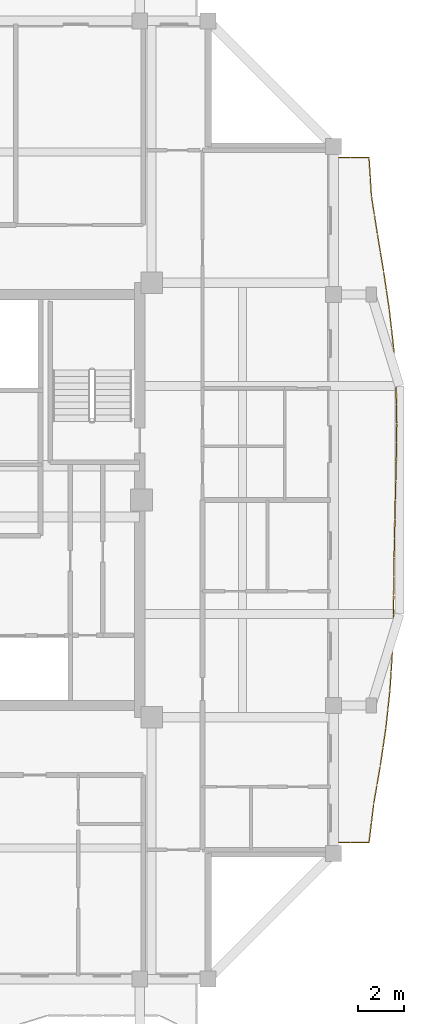
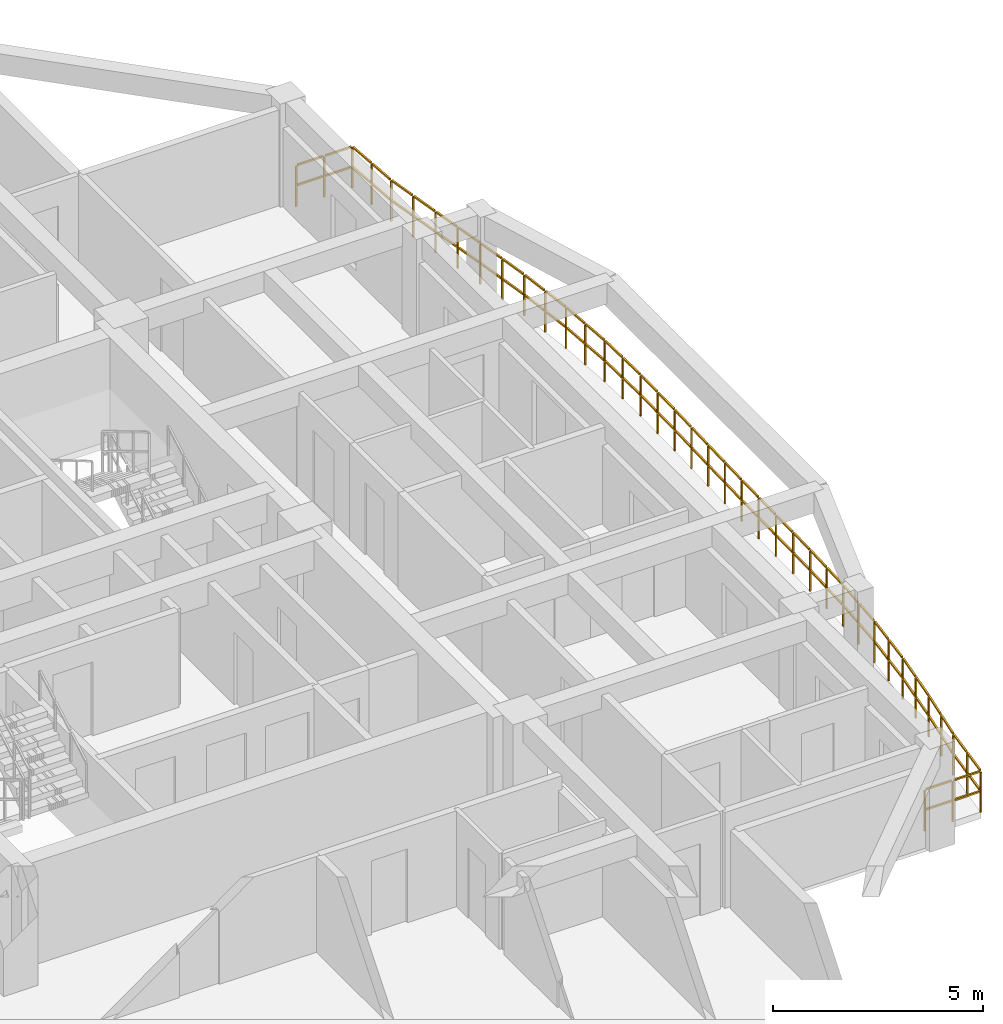
# One storey, part 11 of 12: 1 railing.
"""IFC4 building model written with IfcOpenShell, lengths in metres."""

from ifc_helpers import new_model, si_unit, direction, frame, origin, origin_2d, place, context, subcontext, project, spatial, rectangle, extrude, material, type_object, element, save


model = new_model("IFC4")

# Units and contexts
model_context = context("Model", 3, precision=1e-05, world=origin(), true_north=direction((0.0, 1.0)))
body_context = subcontext(model_context, "Body", "Model", "MODEL_VIEW")
ifc_project = project(units=[si_unit("LENGTHUNIT", "METRE"), si_unit("AREAUNIT", "SQUARE_METRE"), si_unit("VOLUMEUNIT", "CUBIC_METRE"), si_unit("PLANEANGLEUNIT", "RADIAN"), si_unit("MASSUNIT", "GRAM", prefix="KILO")], contexts=[model_context])

# Site, building, storey
site_placement = place(None, origin())
site = spatial("IfcSite", under=ifc_project, at=site_placement, CompositionType="ELEMENT")
building_placement = place(site_placement, origin())
building = spatial("IfcBuilding", under=site, at=building_placement, Name="Saelheon Loggia Tower", CompositionType="ELEMENT")
storey_placement = place(building_placement, frame((0.0, 0.0, 243.0)))
storey = spatial("IfcBuildingStorey", under=building, at=storey_placement, Name="L75", CompositionType="ELEMENT", Elevation=243.0)

# Railing
ifc_material = material(Name="Architectural Precast Concrete and Laminated Glass Guard", Category="concrete")
railing_type = type_object("IfcRailingType", Name="Guard_Loggia_RL_LOG", PredefinedType="BALUSTRADE", material=ifc_material)
railing_placement = place(storey_placement, frame((53.0, 12.0, 0.0)))
element("IfcRailing", 1, at=railing_placement, inside=storey, type_object=railing_type, Name="L75 East Loggia Balustrade", PredefinedType="BALUSTRADE", context=body_context, shape_type="SweptSolid", body=[
    extrude(rectangle(XDim=0.048095703125, YDim=0.048095703125, at=origin_2d()), frame((0.033203125, 0.0, 1.19580078125), z_axis=(1.0, 0.0, 0.0), x_axis=(0.0, 1.0, 0.0)), (0.0, 0.0, 1.0), 0.70849609375),
    extrude(rectangle(XDim=0.048095703125, YDim=0.048095703125, at=origin_2d()), frame((0.033203125, 0.0, 0.60986328125), z_axis=(1.0, 0.0, 0.0), x_axis=(0.0, 1.0, 0.0)), (0.0, 0.0, 1.0), 0.70849609375),
    extrude(rectangle(XDim=0.048095703125, YDim=0.048095703125, at=origin_2d()), frame((0.808349609375, 0.0, 1.19580078125), z_axis=(1.0, 0.0, 0.0), x_axis=(0.0, 1.0, 0.0)), (0.0, 0.0, 1.0), 0.70849609375),
    extrude(rectangle(XDim=0.048095703125, YDim=0.048095703125, at=origin_2d()), frame((0.808349609375, 0.0, 0.60986328125), z_axis=(1.0, 0.0, 0.0), x_axis=(0.0, 1.0, 0.0)), (0.0, 0.0, 1.0), 0.70849609375),
    extrude(rectangle(XDim=0.048095703125, YDim=0.048095703125, at=origin_2d()), frame((1.553955078125, 0.032958984375, 1.19580078125), z_axis=(0.121117273297, 0.992638205042, 0.0), x_axis=(-0.992638205042, 0.121117273297, 0.0)), (0.0, 0.0, 1.0), 0.773193359375),
    extrude(rectangle(XDim=0.048095703125, YDim=0.048095703125, at=origin_2d()), frame((1.553955078125, 0.032958984375, 0.60986328125), z_axis=(0.121117273297, 0.992638205042, 0.0), x_axis=(-0.992638205042, 0.121117273297, 0.0)), (0.0, 0.0, 1.0), 0.773193359375),
    extrude(rectangle(XDim=0.048095703125, YDim=0.048095703125, at=origin_2d()), frame((1.65576171875, 0.866455078125, 1.19580078125), z_axis=(0.121117273297, 0.992638205042, 0.0), x_axis=(-0.992638205042, 0.121117273297, 0.0)), (0.0, 0.0, 1.0), 0.773193359375),
    extrude(rectangle(XDim=0.048095703125, YDim=0.048095703125, at=origin_2d()), frame((1.65576171875, 0.866455078125, 0.60986328125), z_axis=(0.121117273297, 0.992638205042, 0.0), x_axis=(-0.992638205042, 0.121117273297, 0.0)), (0.0, 0.0, 1.0), 0.773193359375),
    extrude(rectangle(XDim=0.048095703125, YDim=0.048095703125, at=origin_2d()), frame((1.759033203125, 1.699462890625, 1.19580078125), z_axis=(0.170061614691, 0.98543343114, 0.0), x_axis=(-0.98543343114, 0.170061614691, 0.0)), (0.0, 0.0, 1.0), 0.779052734375),
    extrude(rectangle(XDim=0.048095703125, YDim=0.048095703125, at=origin_2d()), frame((1.759033203125, 1.699462890625, 0.60986328125), z_axis=(0.170061614691, 0.98543343114, 0.0), x_axis=(-0.98543343114, 0.170061614691, 0.0)), (0.0, 0.0, 1.0), 0.779052734375),
    extrude(rectangle(XDim=0.048095703125, YDim=0.048095703125, at=origin_2d()), frame((1.90283203125, 2.53271484375, 1.19580078125), z_axis=(0.170061614691, 0.98543343114, 0.0), x_axis=(-0.98543343114, 0.170061614691, 0.0)), (0.0, 0.0, 1.0), 0.779052734375),
    extrude(rectangle(XDim=0.048095703125, YDim=0.048095703125, at=origin_2d()), frame((1.90283203125, 2.53271484375, 0.60986328125), z_axis=(0.170061614691, 0.98543343114, 0.0), x_axis=(-0.98543343114, 0.170061614691, 0.0)), (0.0, 0.0, 1.0), 0.779052734375),
    extrude(rectangle(XDim=0.048095703125, YDim=0.048095703125, at=origin_2d()), frame((2.0458984375, 3.3662109375, 1.19580078125), z_axis=(0.146632679604, 0.98919101152, 0.0), x_axis=(-0.98919101152, 0.146632679604, 0.0)), (0.0, 0.0, 1.0), 0.776123046875),
    extrude(rectangle(XDim=0.048095703125, YDim=0.048095703125, at=origin_2d()), frame((2.0458984375, 3.3662109375, 0.60986328125), z_axis=(0.146632679604, 0.98919101152, 0.0), x_axis=(-0.98919101152, 0.146632679604, 0.0)), (0.0, 0.0, 1.0), 0.776123046875),
    extrude(rectangle(XDim=0.048095703125, YDim=0.048095703125, at=origin_2d()), frame((2.16943359375, 4.199462890625, 1.19580078125), z_axis=(0.146632679604, 0.98919101152, 0.0), x_axis=(-0.98919101152, 0.146632679604, 0.0)), (0.0, 0.0, 1.0), 0.776123046875),
    extrude(rectangle(XDim=0.048095703125, YDim=0.048095703125, at=origin_2d()), frame((2.16943359375, 4.199462890625, 0.60986328125), z_axis=(0.146632679604, 0.98919101152, 0.0), x_axis=(-0.98919101152, 0.146632679604, 0.0)), (0.0, 0.0, 1.0), 0.776123046875),
    extrude(rectangle(XDim=0.048095703125, YDim=0.048095703125, at=origin_2d()), frame((2.291748046875, 5.032958984375, 1.19580078125), z_axis=(0.106754244284, 0.994285437552, 0.0), x_axis=(-0.994285437552, 0.106754244284, 0.0)), (0.0, 0.0, 1.0), 0.771728515625),
    extrude(rectangle(XDim=0.048095703125, YDim=0.048095703125, at=origin_2d()), frame((2.291748046875, 5.032958984375, 0.60986328125), z_axis=(0.106754244284, 0.994285437552, 0.0), x_axis=(-0.994285437552, 0.106754244284, 0.0)), (0.0, 0.0, 1.0), 0.771728515625),
    extrude(rectangle(XDim=0.048095703125, YDim=0.048095703125, at=origin_2d()), frame((2.381103515625, 5.866455078125, 1.19580078125), z_axis=(0.106754244284, 0.994285437552, 0.0), x_axis=(-0.994285437552, 0.106754244284, 0.0)), (0.0, 0.0, 1.0), 0.771728515625),
    extrude(rectangle(XDim=0.048095703125, YDim=0.048095703125, at=origin_2d()), frame((2.381103515625, 5.866455078125, 0.60986328125), z_axis=(0.106754244284, 0.994285437552, 0.0), x_axis=(-0.994285437552, 0.106754244284, 0.0)), (0.0, 0.0, 1.0), 0.771728515625),
    extrude(rectangle(XDim=0.048095703125, YDim=0.048095703125, at=origin_2d()), frame((2.46923828125, 6.699951171875, 1.19580078125), z_axis=(0.063161067342, 0.998003346473, 0.0), x_axis=(-0.998003346473, 0.063161067342, 0.0)), (0.0, 0.0, 1.0), 0.7685546875),
    extrude(rectangle(XDim=0.048095703125, YDim=0.048095703125, at=origin_2d()), frame((2.46923828125, 6.699951171875, 0.60986328125), z_axis=(0.063161067342, 0.998003346473, 0.0), x_axis=(-0.998003346473, 0.063161067342, 0.0)), (0.0, 0.0, 1.0), 0.7685546875),
    extrude(rectangle(XDim=0.048095703125, YDim=0.048095703125, at=origin_2d()), frame((2.52197265625, 7.533203125, 1.19580078125), z_axis=(0.063161067342, 0.998003346473, 0.0), x_axis=(-0.998003346473, 0.063161067342, 0.0)), (0.0, 0.0, 1.0), 0.7685546875),
    extrude(rectangle(XDim=0.048095703125, YDim=0.048095703125, at=origin_2d()), frame((2.52197265625, 7.533203125, 0.60986328125), z_axis=(0.063161067342, 0.998003346473, 0.0), x_axis=(-0.998003346473, 0.063161067342, 0.0)), (0.0, 0.0, 1.0), 0.7685546875),
    extrude(rectangle(XDim=0.048095703125, YDim=0.048095703125, at=origin_2d()), frame((2.573486328125, 8.366455078125, 1.19580078125), z_axis=(0.028844006627, 0.999583925082, 0.0), x_axis=(-0.999583925082, 0.028844006627, 0.0)), (0.0, 0.0, 1.0), 0.767333984375),
    extrude(rectangle(XDim=0.048095703125, YDim=0.048095703125, at=origin_2d()), frame((2.573486328125, 8.366455078125, 0.60986328125), z_axis=(0.028844006627, 0.999583925082, 0.0), x_axis=(-0.999583925082, 0.028844006627, 0.0)), (0.0, 0.0, 1.0), 0.767333984375),
    extrude(rectangle(XDim=0.048095703125, YDim=0.048095703125, at=origin_2d()), frame((2.597412109375, 9.199951171875, 1.19580078125), z_axis=(0.028844006627, 0.999583925082, 0.0), x_axis=(-0.999583925082, 0.028844006627, 0.0)), (0.0, 0.0, 1.0), 0.767333984375),
    extrude(rectangle(XDim=0.048095703125, YDim=0.048095703125, at=origin_2d()), frame((2.597412109375, 9.199951171875, 0.60986328125), z_axis=(0.028844006627, 0.999583925082, 0.0), x_axis=(-0.999583925082, 0.028844006627, 0.0)), (0.0, 0.0, 1.0), 0.767333984375),
    extrude(rectangle(XDim=0.048095703125, YDim=0.048095703125, at=origin_2d()), frame((2.62109375, 10.033203125, 1.19580078125), z_axis=(0.012156711099, 0.999926104457, 0.0), x_axis=(-0.999926104457, 0.012156711099, 0.0)), (0.0, 0.0, 1.0), 0.766845703125),
    extrude(rectangle(XDim=0.048095703125, YDim=0.048095703125, at=origin_2d()), frame((2.62109375, 10.033203125, 0.60986328125), z_axis=(0.012156711099, 0.999926104457, 0.0), x_axis=(-0.999926104457, 0.012156711099, 0.0)), (0.0, 0.0, 1.0), 0.766845703125),
    extrude(rectangle(XDim=0.048095703125, YDim=0.048095703125, at=origin_2d()), frame((2.631103515625, 10.86669921875, 1.19580078125), z_axis=(0.012156711099, 0.999926104457, 0.0), x_axis=(-0.999926104457, 0.012156711099, 0.0)), (0.0, 0.0, 1.0), 0.766845703125),
    extrude(rectangle(XDim=0.048095703125, YDim=0.048095703125, at=origin_2d()), frame((2.631103515625, 10.86669921875, 0.60986328125), z_axis=(0.012156711099, 0.999926104457, 0.0), x_axis=(-0.999926104457, 0.012156711099, 0.0)), (0.0, 0.0, 1.0), 0.766845703125),
    extrude(rectangle(XDim=0.048095703125, YDim=0.048095703125, at=origin_2d()), frame((2.641357421875, 11.699951171875, 1.19580078125), z_axis=(0.012744350207, 0.999918787471, 0.0), x_axis=(-0.999918787471, 0.012744350207, 0.0)), (0.0, 0.0, 1.0), 0.766845703125),
    extrude(rectangle(XDim=0.048095703125, YDim=0.048095703125, at=origin_2d()), frame((2.641357421875, 11.699951171875, 0.60986328125), z_axis=(0.012744350207, 0.999918787471, 0.0), x_axis=(-0.999918787471, 0.012744350207, 0.0)), (0.0, 0.0, 1.0), 0.766845703125),
    extrude(rectangle(XDim=0.048095703125, YDim=0.048095703125, at=origin_2d()), frame((2.65185546875, 12.533203125, 1.19580078125), z_axis=(0.012744350207, 0.999918787471, 0.0), x_axis=(-0.999918787471, 0.012744350207, 0.0)), (0.0, 0.0, 1.0), 0.766845703125),
    extrude(rectangle(XDim=0.048095703125, YDim=0.048095703125, at=origin_2d()), frame((2.65185546875, 12.533203125, 0.60986328125), z_axis=(0.012744350207, 0.999918787471, 0.0), x_axis=(-0.999918787471, 0.012744350207, 0.0)), (0.0, 0.0, 1.0), 0.766845703125),
    extrude(rectangle(XDim=0.048095703125, YDim=0.048095703125, at=origin_2d()), frame((2.662841796875, 13.366455078125, 1.19580078125), z_axis=(0.021088029542, 0.999777622779, 0.0), x_axis=(-0.999777622779, 0.021088029542, 0.0)), (0.0, 0.0, 1.0), 0.76708984375),
    extrude(rectangle(XDim=0.048095703125, YDim=0.048095703125, at=origin_2d()), frame((2.662841796875, 13.366455078125, 0.60986328125), z_axis=(0.021088029542, 0.999777622779, 0.0), x_axis=(-0.999777622779, 0.021088029542, 0.0)), (0.0, 0.0, 1.0), 0.76708984375),
    extrude(rectangle(XDim=0.048095703125, YDim=0.048095703125, at=origin_2d()), frame((2.680419921875, 14.199951171875, 1.19580078125), z_axis=(0.021088029542, 0.999777622779, 0.0), x_axis=(-0.999777622779, 0.021088029542, 0.0)), (0.0, 0.0, 1.0), 0.76708984375),
    extrude(rectangle(XDim=0.048095703125, YDim=0.048095703125, at=origin_2d()), frame((2.680419921875, 14.199951171875, 0.60986328125), z_axis=(0.021088029542, 0.999777622779, 0.0), x_axis=(-0.999777622779, 0.021088029542, 0.0)), (0.0, 0.0, 1.0), 0.76708984375),
    extrude(rectangle(XDim=0.048095703125, YDim=0.048095703125, at=origin_2d()), frame((2.697998046875, 15.033203125, 1.19580078125), z_axis=(0.025186090256, 0.999682780115, 0.0), x_axis=(-0.999682780115, 0.025186090256, 0.0)), (0.0, 0.0, 1.0), 0.76708984375),
    extrude(rectangle(XDim=0.048095703125, YDim=0.048095703125, at=origin_2d()), frame((2.697998046875, 15.033203125, 0.60986328125), z_axis=(0.025186090256, 0.999682780115, 0.0), x_axis=(-0.999682780115, 0.025186090256, 0.0)), (0.0, 0.0, 1.0), 0.76708984375),
    extrude(rectangle(XDim=0.048095703125, YDim=0.048095703125, at=origin_2d()), frame((2.718994140625, 15.86669921875, 1.19580078125), z_axis=(0.025186090256, 0.999682780115, 0.0), x_axis=(-0.999682780115, 0.025186090256, 0.0)), (0.0, 0.0, 1.0), 0.76708984375),
    extrude(rectangle(XDim=0.048095703125, YDim=0.048095703125, at=origin_2d()), frame((2.718994140625, 15.86669921875, 0.60986328125), z_axis=(0.025186090256, 0.999682780115, 0.0), x_axis=(-0.999682780115, 0.025186090256, 0.0)), (0.0, 0.0, 1.0), 0.76708984375),
    extrude(rectangle(XDim=0.048095703125, YDim=0.048095703125, at=origin_2d()), frame((2.73974609375, 16.699951171875, 1.19580078125), z_axis=(0.013623113053, 0.99990720109, 0.0), x_axis=(-0.99990720109, 0.013623113053, 0.0)), (0.0, 0.0, 1.0), 0.766845703125),
    extrude(rectangle(XDim=0.048095703125, YDim=0.048095703125, at=origin_2d()), frame((2.73974609375, 16.699951171875, 0.60986328125), z_axis=(0.013623113053, 0.99990720109, 0.0), x_axis=(-0.99990720109, 0.013623113053, 0.0)), (0.0, 0.0, 1.0), 0.766845703125),
    extrude(rectangle(XDim=0.048095703125, YDim=0.048095703125, at=origin_2d()), frame((2.7509765625, 17.533203125, 1.19580078125), z_axis=(0.013623113053, 0.99990720109, 0.0), x_axis=(-0.99990720109, 0.013623113053, 0.0)), (0.0, 0.0, 1.0), 0.766845703125),
    extrude(rectangle(XDim=0.048095703125, YDim=0.048095703125, at=origin_2d()), frame((2.7509765625, 17.533203125, 0.60986328125), z_axis=(0.013623113053, 0.99990720109, 0.0), x_axis=(-0.99990720109, 0.013623113053, 0.0)), (0.0, 0.0, 1.0), 0.766845703125),
    extrude(rectangle(XDim=0.048095703125, YDim=0.048095703125, at=origin_2d()), frame((2.761474609375, 18.366455078125, 1.19580078125), z_axis=(-0.017574552025, 0.999845555634, 0.0), x_axis=(-0.999845555634, -0.017574552025, 0.0)), (0.0, 0.0, 1.0), 0.76708984375),
    extrude(rectangle(XDim=0.048095703125, YDim=0.048095703125, at=origin_2d()), frame((2.761474609375, 18.366455078125, 0.60986328125), z_axis=(-0.017574552025, 0.999845555634, 0.0), x_axis=(-0.999845555634, -0.017574552025, 0.0)), (0.0, 0.0, 1.0), 0.76708984375),
    extrude(rectangle(XDim=0.048095703125, YDim=0.048095703125, at=origin_2d()), frame((2.746826171875, 19.199951171875, 1.19580078125), z_axis=(-0.017574552025, 0.999845555634, 0.0), x_axis=(-0.999845555634, -0.017574552025, 0.0)), (0.0, 0.0, 1.0), 0.76708984375),
    extrude(rectangle(XDim=0.048095703125, YDim=0.048095703125, at=origin_2d()), frame((2.746826171875, 19.199951171875, 0.60986328125), z_axis=(-0.017574552025, 0.999845555634, 0.0), x_axis=(-0.999845555634, -0.017574552025, 0.0)), (0.0, 0.0, 1.0), 0.76708984375),
    extrude(rectangle(XDim=0.048095703125, YDim=0.048095703125, at=origin_2d()), frame((2.73046875, 20.033203125, 1.19580078125), z_axis=(-0.063151852584, 0.998003929609, 0.0), x_axis=(-0.998003929609, -0.063151852584, 0.0)), (0.0, 0.0, 1.0), 0.7685546875),
    extrude(rectangle(XDim=0.048095703125, YDim=0.048095703125, at=origin_2d()), frame((2.73046875, 20.033203125, 0.60986328125), z_axis=(-0.063151852584, 0.998003929609, 0.0), x_axis=(-0.998003929609, -0.063151852584, 0.0)), (0.0, 0.0, 1.0), 0.7685546875),
    extrude(rectangle(XDim=0.048095703125, YDim=0.048095703125, at=origin_2d()), frame((2.677734375, 20.866455078125, 1.19580078125), z_axis=(-0.063151852584, 0.998003929609, 0.0), x_axis=(-0.998003929609, -0.063151852584, 0.0)), (0.0, 0.0, 1.0), 0.7685546875),
    extrude(rectangle(XDim=0.048095703125, YDim=0.048095703125, at=origin_2d()), frame((2.677734375, 20.866455078125, 0.60986328125), z_axis=(-0.063151852584, 0.998003929609, 0.0), x_axis=(-0.998003929609, -0.063151852584, 0.0)), (0.0, 0.0, 1.0), 0.7685546875),
    extrude(rectangle(XDim=0.048095703125, YDim=0.048095703125, at=origin_2d()), frame((2.62353515625, 21.69970703125, 1.19580078125), z_axis=(-0.111230457734, 0.993794639386, 0.0), x_axis=(-0.993794639386, -0.111230457734, 0.0)), (0.0, 0.0, 1.0), 0.77197265625),
    extrude(rectangle(XDim=0.048095703125, YDim=0.048095703125, at=origin_2d()), frame((2.62353515625, 21.69970703125, 0.60986328125), z_axis=(-0.111230457734, 0.993794639386, 0.0), x_axis=(-0.993794639386, -0.111230457734, 0.0)), (0.0, 0.0, 1.0), 0.77197265625),
    extrude(rectangle(XDim=0.048095703125, YDim=0.048095703125, at=origin_2d()), frame((2.5302734375, 22.532958984375, 1.19580078125), z_axis=(-0.111230457734, 0.993794639386, 0.0), x_axis=(-0.993794639386, -0.111230457734, 0.0)), (0.0, 0.0, 1.0), 0.77197265625),
    extrude(rectangle(XDim=0.048095703125, YDim=0.048095703125, at=origin_2d()), frame((2.5302734375, 22.532958984375, 0.60986328125), z_axis=(-0.111230457734, 0.993794639386, 0.0), x_axis=(-0.993794639386, -0.111230457734, 0.0)), (0.0, 0.0, 1.0), 0.77197265625),
    extrude(rectangle(XDim=0.048095703125, YDim=0.048095703125, at=origin_2d()), frame((2.435791015625, 23.3662109375, 1.19580078125), z_axis=(-0.147624907715, 0.989043419988, 0.0), x_axis=(-0.989043419988, -0.147624907715, 0.0)), (0.0, 0.0, 1.0), 0.776123046875),
    extrude(rectangle(XDim=0.048095703125, YDim=0.048095703125, at=origin_2d()), frame((2.435791015625, 23.3662109375, 0.60986328125), z_axis=(-0.147624907715, 0.989043419988, 0.0), x_axis=(-0.989043419988, -0.147624907715, 0.0)), (0.0, 0.0, 1.0), 0.776123046875),
    extrude(rectangle(XDim=0.048095703125, YDim=0.048095703125, at=origin_2d()), frame((2.311279296875, 24.199462890625, 1.19580078125), z_axis=(-0.147624907715, 0.989043419988, 0.0), x_axis=(-0.989043419988, -0.147624907715, 0.0)), (0.0, 0.0, 1.0), 0.776123046875),
    extrude(rectangle(XDim=0.048095703125, YDim=0.048095703125, at=origin_2d()), frame((2.311279296875, 24.199462890625, 0.60986328125), z_axis=(-0.147624907715, 0.989043419988, 0.0), x_axis=(-0.989043419988, -0.147624907715, 0.0)), (0.0, 0.0, 1.0), 0.776123046875),
    extrude(rectangle(XDim=0.048095703125, YDim=0.048095703125, at=origin_2d()), frame((2.1865234375, 25.03271484375, 1.19580078125), z_axis=(-0.162875459068, 0.986646636255, 0.0), x_axis=(-0.986646636255, -0.162875459068, 0.0)), (0.0, 0.0, 1.0), 0.778076171875),
    extrude(rectangle(XDim=0.048095703125, YDim=0.048095703125, at=origin_2d()), frame((2.1865234375, 25.03271484375, 0.60986328125), z_axis=(-0.162875459068, 0.986646636255, 0.0), x_axis=(-0.986646636255, -0.162875459068, 0.0)), (0.0, 0.0, 1.0), 0.778076171875),
    extrude(rectangle(XDim=0.048095703125, YDim=0.048095703125, at=origin_2d()), frame((2.048828125, 25.8662109375, 1.19580078125), z_axis=(-0.162875459068, 0.986646636255, 0.0), x_axis=(-0.986646636255, -0.162875459068, 0.0)), (0.0, 0.0, 1.0), 0.778076171875),
    extrude(rectangle(XDim=0.048095703125, YDim=0.048095703125, at=origin_2d()), frame((2.048828125, 25.8662109375, 0.60986328125), z_axis=(-0.162875459068, 0.986646636255, 0.0), x_axis=(-0.986646636255, -0.162875459068, 0.0)), (0.0, 0.0, 1.0), 0.778076171875),
    extrude(rectangle(XDim=0.048095703125, YDim=0.048095703125, at=origin_2d()), frame((1.91162109375, 26.699462890625, 1.19580078125), z_axis=(-0.155145020329, 0.987891705941, 0.0), x_axis=(-0.987891705941, -0.155145020329, 0.0)), (0.0, 0.0, 1.0), 0.777099609375),
    extrude(rectangle(XDim=0.048095703125, YDim=0.048095703125, at=origin_2d()), frame((1.91162109375, 26.699462890625, 0.60986328125), z_axis=(-0.155145020329, 0.987891705941, 0.0), x_axis=(-0.987891705941, -0.155145020329, 0.0)), (0.0, 0.0, 1.0), 0.777099609375),
    extrude(rectangle(XDim=0.048095703125, YDim=0.048095703125, at=origin_2d()), frame((1.78076171875, 27.53271484375, 1.19580078125), z_axis=(-0.155145020329, 0.987891705941, 0.0), x_axis=(-0.987891705941, -0.155145020329, 0.0)), (0.0, 0.0, 1.0), 0.777099609375),
    extrude(rectangle(XDim=0.048095703125, YDim=0.048095703125, at=origin_2d()), frame((1.78076171875, 27.53271484375, 0.60986328125), z_axis=(-0.155145020329, 0.987891705941, 0.0), x_axis=(-0.987891705941, -0.155145020329, 0.0)), (0.0, 0.0, 1.0), 0.777099609375),
    extrude(rectangle(XDim=0.048095703125, YDim=0.048095703125, at=origin_2d()), frame((1.65283203125, 28.366455078125, 1.19580078125), z_axis=(-0.062860640859, 0.998022314295, 0.0), x_axis=(-0.998022314295, -0.062860640859, 0.0)), (0.0, 0.0, 1.0), 0.7685546875),
    extrude(rectangle(XDim=0.048095703125, YDim=0.048095703125, at=origin_2d()), frame((1.65283203125, 28.366455078125, 0.60986328125), z_axis=(-0.062860640859, 0.998022314295, 0.0), x_axis=(-0.998022314295, -0.062860640859, 0.0)), (0.0, 0.0, 1.0), 0.7685546875),
    extrude(rectangle(XDim=0.048095703125, YDim=0.048095703125, at=origin_2d()), frame((1.600341796875, 29.19970703125, 1.19580078125), z_axis=(-0.062860640859, 0.998022314295, 0.0), x_axis=(-0.998022314295, -0.062860640859, 0.0)), (0.0, 0.0, 1.0), 0.7685546875),
    extrude(rectangle(XDim=0.048095703125, YDim=0.048095703125, at=origin_2d()), frame((1.600341796875, 29.19970703125, 0.60986328125), z_axis=(-0.062860640859, 0.998022314295, 0.0), x_axis=(-0.998022314295, -0.062860640859, 0.0)), (0.0, 0.0, 1.0), 0.7685546875),
    extrude(rectangle(XDim=0.048095703125, YDim=0.048095703125, at=origin_2d()), frame((1.516845703125, 30.0, 1.19580078125), z_axis=(-1.0, 0.0, 0.0), x_axis=(0.0, -1.0, 0.0)), (0.0, 0.0, 1.0), 0.70849609375),
    extrude(rectangle(XDim=0.048095703125, YDim=0.048095703125, at=origin_2d()), frame((1.516845703125, 30.0, 0.60986328125), z_axis=(-1.0, 0.0, 0.0), x_axis=(0.0, -1.0, 0.0)), (0.0, 0.0, 1.0), 0.70849609375),
    extrude(rectangle(XDim=0.048095703125, YDim=0.048095703125, at=origin_2d()), frame((0.74169921875, 30.0, 1.19580078125), z_axis=(-1.0, 0.0, 0.0), x_axis=(0.0, -1.0, 0.0)), (0.0, 0.0, 1.0), 0.70849609375),
    extrude(rectangle(XDim=0.048095703125, YDim=0.048095703125, at=origin_2d()), frame((0.74169921875, 30.0, 0.60986328125), z_axis=(-1.0, 0.0, 0.0), x_axis=(0.0, -1.0, 0.0)), (0.0, 0.0, 1.0), 0.70849609375),
    extrude(rectangle(XDim=0.0419921875, YDim=0.0419921875, at=origin_2d()), origin(), (0.0, 0.0, 1.0), 1.16796875),
    extrude(rectangle(XDim=0.0419921875, YDim=0.0419921875, at=origin_2d()), frame((0.77490234375, 0.0, 0.0)), (0.0, 0.0, 1.0), 1.16796875),
    extrude(rectangle(XDim=0.0419921875, YDim=0.0419921875, at=origin_2d()), frame((1.550048828125, 0.0, 0.0)), (0.0, 0.0, 1.0), 1.16796875),
    extrude(rectangle(XDim=0.0419921875, YDim=0.0419921875, at=origin_2d()), frame((1.65185546875, 0.83349609375, 0.0)), (0.0, 0.0, 1.0), 1.16796875),
    extrude(rectangle(XDim=0.0419921875, YDim=0.0419921875, at=origin_2d()), frame((1.75341796875, 1.666748046875, 0.0)), (0.0, 0.0, 1.0), 1.16796875),
    extrude(rectangle(XDim=0.0419921875, YDim=0.0419921875, at=origin_2d()), frame((1.897216796875, 2.5, 0.0)), (0.0, 0.0, 1.0), 1.16796875),
    extrude(rectangle(XDim=0.0419921875, YDim=0.0419921875, at=origin_2d()), frame((2.041015625, 3.333251953125, 0.0)), (0.0, 0.0, 1.0), 1.16796875),
    extrude(rectangle(XDim=0.0419921875, YDim=0.0419921875, at=origin_2d()), frame((2.16455078125, 4.16650390625, 0.0)), (0.0, 0.0, 1.0), 1.16796875),
    extrude(rectangle(XDim=0.0419921875, YDim=0.0419921875, at=origin_2d()), frame((2.2880859375, 5.0, 0.0)), (0.0, 0.0, 1.0), 1.16796875),
    extrude(rectangle(XDim=0.0419921875, YDim=0.0419921875, at=origin_2d()), frame((2.37744140625, 5.83349609375, 0.0)), (0.0, 0.0, 1.0), 1.16796875),
    extrude(rectangle(XDim=0.0419921875, YDim=0.0419921875, at=origin_2d()), frame((2.467041015625, 6.666748046875, 0.0)), (0.0, 0.0, 1.0), 1.16796875),
    extrude(rectangle(XDim=0.0419921875, YDim=0.0419921875, at=origin_2d()), frame((2.519775390625, 7.5, 0.0)), (0.0, 0.0, 1.0), 1.16796875),
    extrude(rectangle(XDim=0.0419921875, YDim=0.0419921875, at=origin_2d()), frame((2.572509765625, 8.333251953125, 0.0)), (0.0, 0.0, 1.0), 1.16796875),
    extrude(rectangle(XDim=0.0419921875, YDim=0.0419921875, at=origin_2d()), frame((2.5966796875, 9.16650390625, 0.0)), (0.0, 0.0, 1.0), 1.16796875),
    extrude(rectangle(XDim=0.0419921875, YDim=0.0419921875, at=origin_2d()), frame((2.62060546875, 10.0, 0.0)), (0.0, 0.0, 1.0), 1.16796875),
    extrude(rectangle(XDim=0.0419921875, YDim=0.0419921875, at=origin_2d()), frame((2.630859375, 10.83349609375, 0.0)), (0.0, 0.0, 1.0), 1.16796875),
    extrude(rectangle(XDim=0.0419921875, YDim=0.0419921875, at=origin_2d()), frame((2.640869140625, 11.666748046875, 0.0)), (0.0, 0.0, 1.0), 1.16796875),
    extrude(rectangle(XDim=0.0419921875, YDim=0.0419921875, at=origin_2d()), frame((2.6513671875, 12.5, 0.0)), (0.0, 0.0, 1.0), 1.16796875),
    extrude(rectangle(XDim=0.0419921875, YDim=0.0419921875, at=origin_2d()), frame((2.662109375, 13.333251953125, 0.0)), (0.0, 0.0, 1.0), 1.16796875),
    extrude(rectangle(XDim=0.0419921875, YDim=0.0419921875, at=origin_2d()), frame((2.6796875, 14.16650390625, 0.0)), (0.0, 0.0, 1.0), 1.16796875),
    extrude(rectangle(XDim=0.0419921875, YDim=0.0419921875, at=origin_2d()), frame((2.697265625, 15.0, 0.0)), (0.0, 0.0, 1.0), 1.16796875),
    extrude(rectangle(XDim=0.0419921875, YDim=0.0419921875, at=origin_2d()), frame((2.71826171875, 15.83349609375, 0.0)), (0.0, 0.0, 1.0), 1.16796875),
    extrude(rectangle(XDim=0.0419921875, YDim=0.0419921875, at=origin_2d()), frame((2.7392578125, 16.666748046875, 0.0)), (0.0, 0.0, 1.0), 1.16796875),
    extrude(rectangle(XDim=0.0419921875, YDim=0.0419921875, at=origin_2d()), frame((2.75048828125, 17.5, 0.0)), (0.0, 0.0, 1.0), 1.16796875),
    extrude(rectangle(XDim=0.0419921875, YDim=0.0419921875, at=origin_2d()), frame((2.761962890625, 18.333251953125, 0.0)), (0.0, 0.0, 1.0), 1.16796875),
    extrude(rectangle(XDim=0.0419921875, YDim=0.0419921875, at=origin_2d()), frame((2.747314453125, 19.16650390625, 0.0)), (0.0, 0.0, 1.0), 1.16796875),
    extrude(rectangle(XDim=0.0419921875, YDim=0.0419921875, at=origin_2d()), frame((2.732666015625, 20.0, 0.0)), (0.0, 0.0, 1.0), 1.16796875),
    extrude(rectangle(XDim=0.0419921875, YDim=0.0419921875, at=origin_2d()), frame((2.679931640625, 20.83349609375, 0.0)), (0.0, 0.0, 1.0), 1.16796875),
    extrude(rectangle(XDim=0.0419921875, YDim=0.0419921875, at=origin_2d()), frame((2.627197265625, 21.666748046875, 0.0)), (0.0, 0.0, 1.0), 1.16796875),
    extrude(rectangle(XDim=0.0419921875, YDim=0.0419921875, at=origin_2d()), frame((2.533935546875, 22.5, 0.0)), (0.0, 0.0, 1.0), 1.16796875),
    extrude(rectangle(XDim=0.0419921875, YDim=0.0419921875, at=origin_2d()), frame((2.440673828125, 23.333251953125, 0.0)), (0.0, 0.0, 1.0), 1.16796875),
    extrude(rectangle(XDim=0.0419921875, YDim=0.0419921875, at=origin_2d()), frame((2.31640625, 24.16650390625, 0.0)), (0.0, 0.0, 1.0), 1.16796875),
    extrude(rectangle(XDim=0.0419921875, YDim=0.0419921875, at=origin_2d()), frame((2.19189453125, 25.0, 0.0)), (0.0, 0.0, 1.0), 1.16796875),
    extrude(rectangle(XDim=0.0419921875, YDim=0.0419921875, at=origin_2d()), frame((2.05419921875, 25.83349609375, 0.0)), (0.0, 0.0, 1.0), 1.16796875),
    extrude(rectangle(XDim=0.0419921875, YDim=0.0419921875, at=origin_2d()), frame((1.916748046875, 26.666748046875, 0.0)), (0.0, 0.0, 1.0), 1.16796875),
    extrude(rectangle(XDim=0.0419921875, YDim=0.0419921875, at=origin_2d()), frame((1.785888671875, 27.5, 0.0)), (0.0, 0.0, 1.0), 1.16796875),
    extrude(rectangle(XDim=0.0419921875, YDim=0.0419921875, at=origin_2d()), frame((1.655029296875, 28.333251953125, 0.0)), (0.0, 0.0, 1.0), 1.16796875),
    extrude(rectangle(XDim=0.0419921875, YDim=0.0419921875, at=origin_2d()), frame((1.6025390625, 29.16650390625, 0.0)), (0.0, 0.0, 1.0), 1.16796875),
    extrude(rectangle(XDim=0.0419921875, YDim=0.0419921875, at=origin_2d()), frame((1.550048828125, 30.0, 0.0)), (0.0, 0.0, 1.0), 1.16796875),
    extrude(rectangle(XDim=0.0419921875, YDim=0.0419921875, at=origin_2d()), frame((0.77490234375, 30.0, 0.0)), (0.0, 0.0, 1.0), 1.16796875),
    extrude(rectangle(XDim=0.0419921875, YDim=0.0419921875, at=origin_2d()), frame((0.0, 30.0, 0.0)), (0.0, 0.0, 1.0), 1.16796875),
])

save(model, "model.ifc")
